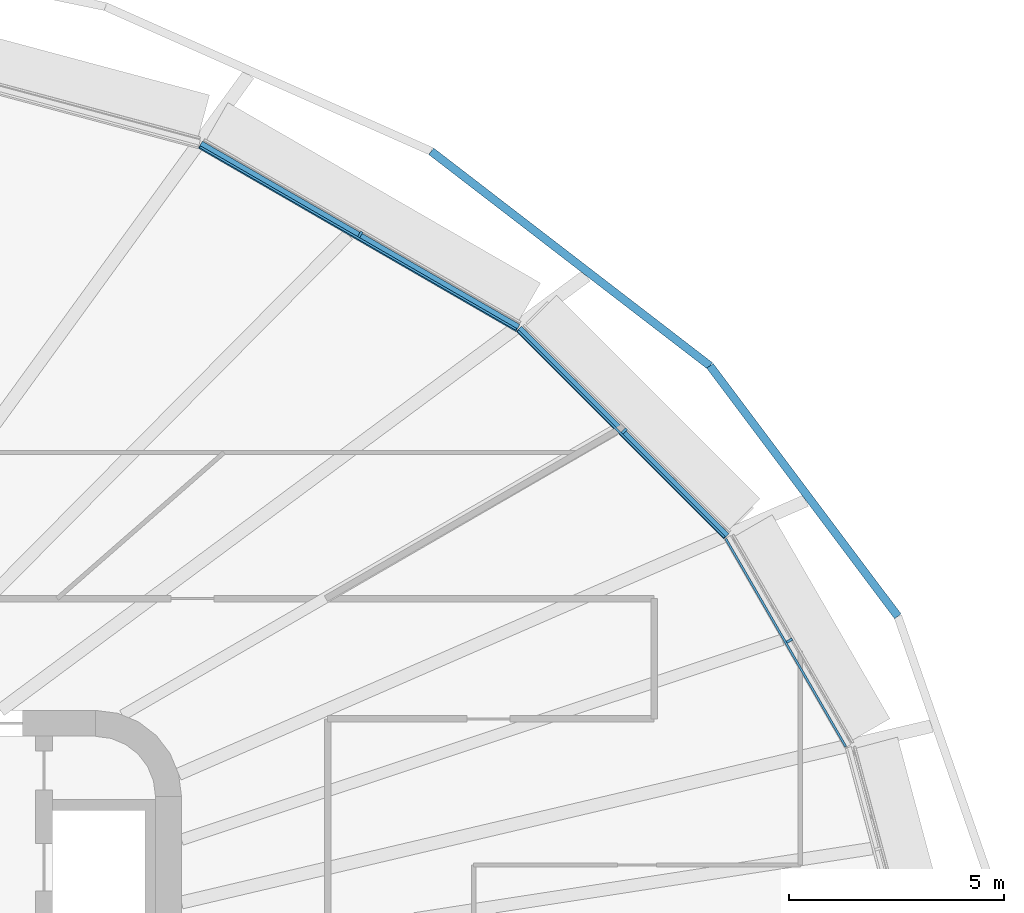
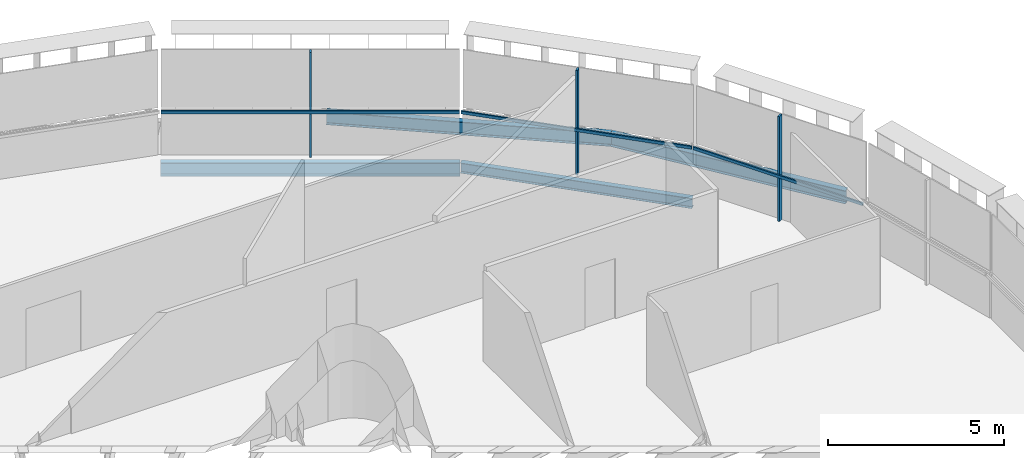
# One storey, part 10 of 25: 6 members, 4 beams, 3 elements without a shape of their own.
"""IFC4 building model written with IfcOpenShell, lengths in metres."""

from ifc_helpers import new_model, si_unit, direction, frame, origin, origin_2d, place, context, subcontext, project, spatial, rectangle, i_section, extrude, material, layer, layer_set, material_profile, profile_set, type_object, element, aggregate, save


model = new_model("IFC4")

# Units and contexts
model_context = context("Model", 3, precision=1e-05, world=origin(), true_north=direction((0.0, 1.0)))
body_context = subcontext(model_context, "Body", "Model", "MODEL_VIEW")
ifc_project = project(units=[si_unit("LENGTHUNIT", "METRE"), si_unit("AREAUNIT", "SQUARE_METRE"), si_unit("VOLUMEUNIT", "CUBIC_METRE"), si_unit("PLANEANGLEUNIT", "RADIAN"), si_unit("MASSUNIT", "GRAM", prefix="KILO")], contexts=[model_context])

# Site, building, storey
site_placement = place(None, origin())
site = spatial("IfcSite", under=ifc_project, at=site_placement, CompositionType="ELEMENT")
building_placement = place(site_placement, origin())
building = spatial("IfcBuilding", under=site, at=building_placement, Name="Sahrelin Media Tower", CompositionType="ELEMENT")
storey_placement = place(building_placement, frame((0.0, 0.0, 106.199951171875)))
storey = spatial("IfcBuildingStorey", under=building, at=storey_placement, Name="L20", CompositionType="ELEMENT", Elevation=106.199951171875)

# Beams
ifc_material_1 = material(Name="Steel S355", Category="steel")
ifc_material_profile_1 = material_profile(ifc_material_1, i_section(OverallWidth=0.17138671875, OverallDepth=0.35498046875, WebThickness=0.00732421875, FlangeThickness=0.011474609375, FilletRadius=0.01025390625, at=origin_2d()), Name="UB 356x171x51")
ifc_profile_set_1 = profile_set([ifc_material_profile_1], Name="Steel S355")
beam_type_1 = type_object("IfcBeamType", Name="Edge beam EB3", PredefinedType="BEAM", material=ifc_profile_set_1)
beam_1_placement = place(storey_placement, frame((22.849609375, 16.8798828125, -0.327392578125), z_axis=(0.707124646667, -0.707088915255, 0.0), x_axis=(0.707088915255, 0.707124646667, 0.0)))
element("IfcBeam", 1, at=beam_1_placement, inside=storey, type_object=beam_type_1, Name="Edge beam L20-22", PredefinedType="BEAM", context=body_context, shape_type="SweptSolid", body=[
    extrude(i_section(OverallWidth=0.17138671875, OverallDepth=0.35498046875, WebThickness=0.00732421875, FlangeThickness=0.011474609375, FilletRadius=0.01025390625, at=origin_2d()), origin(), (0.0, 0.0, 1.0), 6.832763671875),
])
ifc_material_profile_2 = material_profile(ifc_material_1, i_section(OverallWidth=0.1904296875, OverallDepth=0.45703125, WebThickness=0.009033203125, FlangeThickness=0.014404296875, FilletRadius=0.01025390625, at=origin_2d()), Name="UB 457x191x74")
ifc_profile_set_2 = profile_set([ifc_material_profile_2], Name="Steel S355")
beam_type_2 = type_object("IfcBeamType", Name="Edge beam EB5", PredefinedType="BEAM", material=ifc_profile_set_2)
beam_2_placement = place(storey_placement, frame((15.438232421875, 21.163330078125, -0.37841796875), z_axis=(0.866017364183, -0.500013924739, 0.0), x_axis=(0.500013924739, 0.866017364183, 0.0)))
element("IfcBeam", 2, at=beam_2_placement, inside=storey, type_object=beam_type_2, Name="Edge beam L20-21", PredefinedType="BEAM", context=body_context, shape_type="SweptSolid", body=[
    extrude(i_section(OverallWidth=0.1904296875, OverallDepth=0.45703125, WebThickness=0.009033203125, FlangeThickness=0.014404296875, FilletRadius=0.01025390625, at=origin_2d()), origin(), (0.0, 0.0, 1.0), 8.531494140625),
])

# Curtain wall, member
ifc_material_2 = material(Name="Champagne anodised aluminium 6063-T6", Category="aluminium")
ifc_layer = layer(ifc_material_2, 0.14990234375)
ifc_layer_set = layer_set([ifc_layer], Name="Tower ribbon curtain wall")
curtain_wall_type = type_object("IfcCurtainWallType", Name="Tower ribbon curtain wall", PredefinedType="NOTDEFINED", material=ifc_layer_set)
curtain_wall_1_placement = place(storey_placement, frame((29.231689453125, 9.67041015625, 0.0), z_axis=(0.0, 0.0, 1.0), x_axis=(1.0, 0.0, 0.0)))
curtain_wall_1 = element("IfcCurtainWall", 3, at=curtain_wall_1_placement, inside=storey, type_object=curtain_wall_type, Name="L20:CW:L20-02", PredefinedType="NOTDEFINED")
ifc_material_profile_3 = material_profile(ifc_material_2, rectangle(XDim=0.06005859375, YDim=0.14990234375, at=origin_2d()), Name="Mullion 60x150")
ifc_profile_set_3 = profile_set([ifc_material_profile_3], Name="Champagne anodised aluminium 6063-T6")
member_type_1 = type_object("IfcMemberType", Name="Mullion 60x150 CW1", PredefinedType="MULLION", material=ifc_profile_set_3)
member_1_placement = place(storey_placement, frame((29.1494140625, 9.622802734375, 0.0), z_axis=(0.0, 0.0, 1.0), x_axis=(-0.500004534492, 0.866022785779, 0.0)))
member_1 = element("IfcMember", 4, at=member_1_placement, type_object=member_type_1, Name="L20:CWM:L20-02", PredefinedType="MULLION", context=body_context, shape_type="SweptSolid", body=[
    extrude(rectangle(XDim=0.06005859375, YDim=0.14990234375, at=origin_2d()), origin(), (0.0, 0.0, 1.0), 3.648681640625),
])

curtain_wall_2_placement = place(storey_placement, frame((25.371337890625, 14.5703125, 0.0), z_axis=(0.0, 0.0, 1.0), x_axis=(1.0, 0.0, 0.0)))
curtain_wall_2 = element("IfcCurtainWall", 5, at=curtain_wall_2_placement, inside=storey, type_object=curtain_wall_type, Name="L20:CW:L20-03", PredefinedType="NOTDEFINED")
member_2_placement = place(storey_placement, frame((25.30419921875, 14.503173828125, 0.0), z_axis=(0.0, 0.0, 1.0), x_axis=(-0.707106781187, 0.707106781187, 0.0)))
member_2 = element("IfcMember", 6, at=member_2_placement, type_object=member_type_1, Name="L20:CWM:L20-03", PredefinedType="MULLION", context=body_context, shape_type="SweptSolid", body=[
    extrude(rectangle(XDim=0.06005859375, YDim=0.14990234375, at=origin_2d()), origin(), (0.0, 0.0, 1.0), 3.648681640625),
])

curtain_wall_3_placement = place(storey_placement, frame((19.20751953125, 19.160400390625, 0.0), z_axis=(0.0, 0.0, 1.0), x_axis=(1.0, 0.0, 0.0)))
curtain_wall_3 = element("IfcCurtainWall", 7, at=curtain_wall_3_placement, inside=storey, type_object=curtain_wall_type, Name="L20:CW:L20-04", PredefinedType="NOTDEFINED")
member_3_placement = place(storey_placement, frame((19.159912109375, 19.077880859375, 0.0), z_axis=(0.0, 0.0, 1.0), x_axis=(-0.866024531118, 0.500001511499, 0.0)))
member_3 = element("IfcMember", 8, at=member_3_placement, type_object=member_type_1, Name="L20:CWM:L20-04", PredefinedType="MULLION", context=body_context, shape_type="SweptSolid", body=[
    extrude(rectangle(XDim=0.06005859375, YDim=0.14990234375, at=origin_2d()), origin(), (0.0, 0.0, 1.0), 3.648681640625),
])

# Beams
ifc_material_profile_4 = material_profile(ifc_material_1, i_section(OverallWidth=0.1904296875, OverallDepth=0.45703125, WebThickness=0.009033203125, FlangeThickness=0.014404296875, FilletRadius=0.01025390625, at=origin_2d()), Name="UB 457x191x74")
ifc_profile_set_4 = profile_set([ifc_material_profile_4], Name="Steel S355")
beam_type_3 = type_object("IfcBeamType", Name="Tie chord TC5", PredefinedType="BEAM", material=ifc_profile_set_4)
beam_3_placement = place(storey_placement, frame((31.671142578125, 10.18701171875, -0.37841796875), z_axis=(-0.600037514246, 0.799971862941, 0.0), x_axis=(-0.799971862941, -0.600037514246, 0.0)))
element("IfcBeam", 9, at=beam_3_placement, inside=storey, type_object=beam_type_3, Name="Tie chord L20-02", PredefinedType="BEAM", context=body_context, shape_type="SweptSolid", body=[
    extrude(i_section(OverallWidth=0.1904296875, OverallDepth=0.45703125, WebThickness=0.009033203125, FlangeThickness=0.014404296875, FilletRadius=0.01025390625, at=origin_2d()), origin(), (0.0, 0.0, 1.0), 7.288818359375),
])
beam_4_placement = place(storey_placement, frame((27.297607421875, 16.017822265625, -0.37841796875), z_axis=(-0.792454327323, 0.60993125769, 0.0), x_axis=(-0.60993125769, -0.792454327323, 0.0)))
element("IfcBeam", 10, at=beam_4_placement, inside=storey, type_object=beam_type_3, Name="Tie chord L20-03", PredefinedType="BEAM", context=body_context, shape_type="SweptSolid", body=[
    extrude(i_section(OverallWidth=0.1904296875, OverallDepth=0.45703125, WebThickness=0.009033203125, FlangeThickness=0.014404296875, FilletRadius=0.01025390625, at=origin_2d()), origin(), (0.0, 0.0, 1.0), 8.18603515625),
])

# Member
ifc_material_profile_5 = material_profile(ifc_material_2, rectangle(XDim=0.050048828125, YDim=0.10009765625, at=origin_2d()), Name="Transom 50x100")
ifc_profile_set_5 = profile_set([ifc_material_profile_5], Name="Champagne anodised aluminium 6063-T6")
member_type_2 = type_object("IfcMemberType", Name="Transom 50x100 CW1", PredefinedType="USERDEFINED", material=ifc_profile_set_5)
member_4_placement = place(storey_placement, frame((30.4580078125, 7.156005859375, 1.60009765625), z_axis=(-0.499987512418, 0.866032613373, 0.0), x_axis=(-0.866032613373, -0.499987512418, 0.0)))
member_4 = element("IfcMember", 11, at=member_4_placement, type_object=member_type_2, Name="L20:CWT:L20-02", ObjectType="TRANSOM", PredefinedType="USERDEFINED", context=body_context, shape_type="SweptSolid", body=[
    extrude(rectangle(XDim=0.050048828125, YDim=0.10009765625, at=origin_2d()), origin(), (0.0, 0.0, 1.0), 5.581298828125),
])

aggregate(curtain_wall_1, [member_1, member_4])

member_5_placement = place(storey_placement, frame((27.63818359375, 12.02783203125, 1.60009765625), z_axis=(-0.707106781187, 0.707106781187, 0.0), x_axis=(-0.707106781187, -0.707106781187, 0.0)))
member_5 = element("IfcMember", 12, at=member_5_placement, type_object=member_type_2, Name="L20:CWT:L20-03", ObjectType="TRANSOM", PredefinedType="USERDEFINED", context=body_context, shape_type="SweptSolid", body=[
    extrude(rectangle(XDim=0.050048828125, YDim=0.10009765625, at=origin_2d()), origin(), (0.0, 0.0, 1.0), 6.801513671875),
])

aggregate(curtain_wall_2, [member_2, member_5])

member_6_placement = place(storey_placement, frame((22.79052734375, 16.866455078125, 1.60009765625), z_axis=(-0.866021522889, 0.500006721848, 0.0), x_axis=(-0.500006721848, -0.866021522889, 0.0)))
member_6 = element("IfcMember", 13, at=member_6_placement, type_object=member_type_2, Name="L20:CWT:L20-04", ObjectType="TRANSOM", PredefinedType="USERDEFINED", context=body_context, shape_type="SweptSolid", body=[
    extrude(rectangle(XDim=0.050048828125, YDim=0.10009765625, at=origin_2d()), origin(), (0.0, 0.0, 1.0), 8.5),
])

aggregate(curtain_wall_3, [member_3, member_6])

save(model, "model.ifc")
